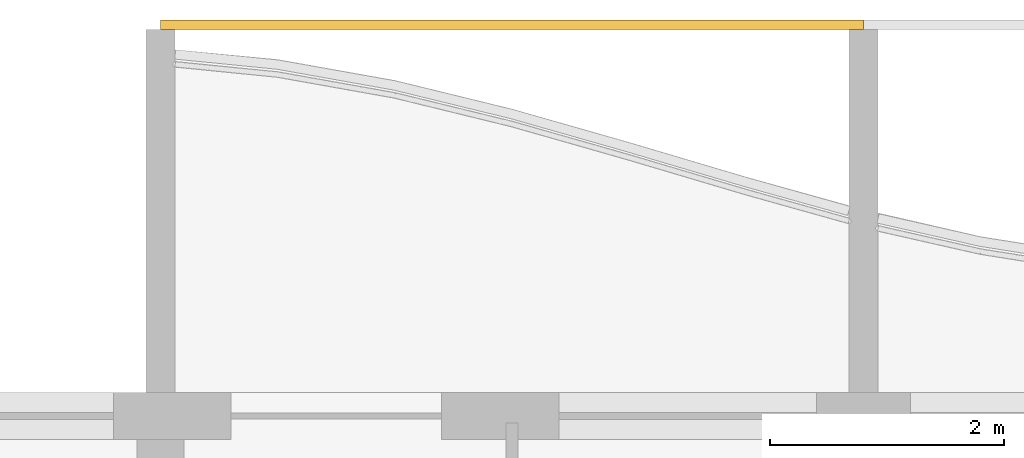
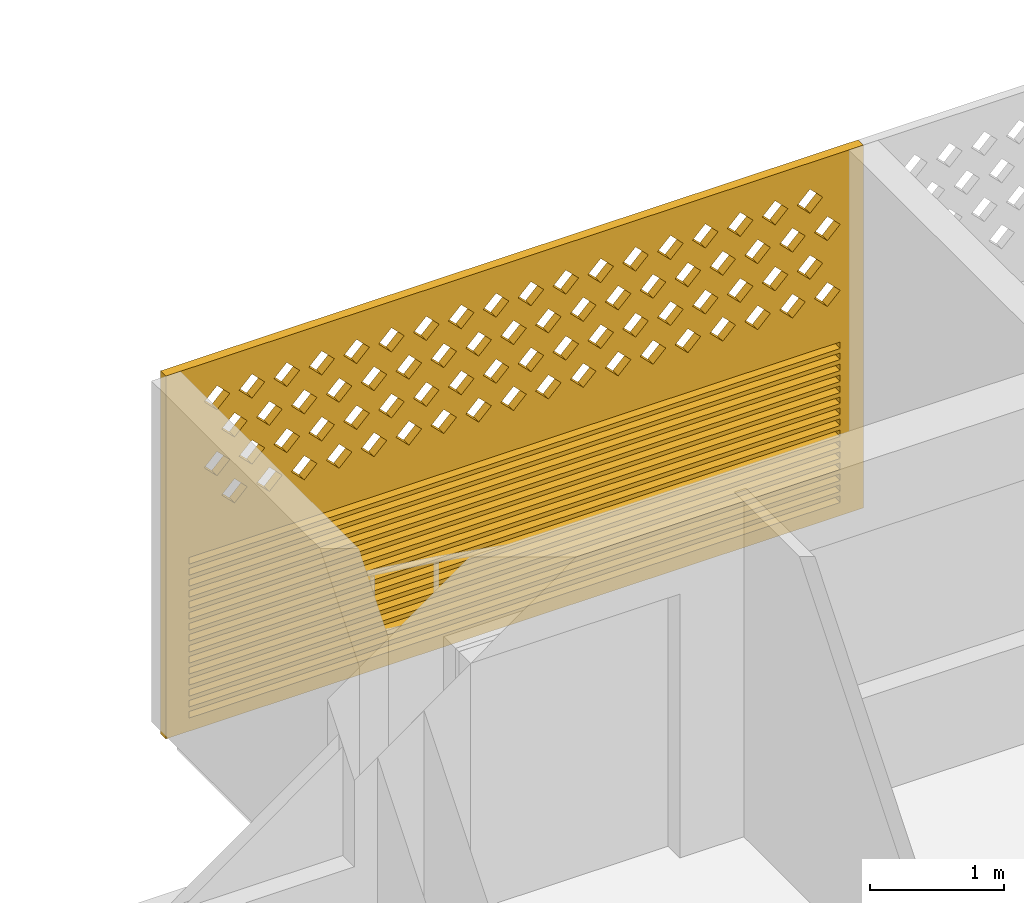
# One storey, part 34 of 40: 1 covering.
"""IFC4 building model written with IfcOpenShell, lengths in metres."""

from ifc_helpers import new_model, si_unit, direction, frame, origin, place, context, subcontext, project, spatial, polyline, outline, extrude, source, transform, mapped, material, material_profile, profile_set, type_object, element, save


model = new_model("IFC4")

# Units and contexts
model_context = context("Model", 3, precision=1e-05, world=origin(), true_north=direction((0.0, 1.0)))
body_context = subcontext(model_context, "Body", "Model", "MODEL_VIEW")
ifc_project = project(units=[si_unit("LENGTHUNIT", "METRE"), si_unit("AREAUNIT", "SQUARE_METRE"), si_unit("VOLUMEUNIT", "CUBIC_METRE"), si_unit("PLANEANGLEUNIT", "RADIAN"), si_unit("MASSUNIT", "GRAM", prefix="KILO")], contexts=[model_context])

# Site, building, storey
site_placement = place(None, origin())
site = spatial("IfcSite", under=ifc_project, at=site_placement, CompositionType="ELEMENT")
building_placement = place(site_placement, origin())
building = spatial("IfcBuilding", under=site, at=building_placement, Name="Poui Terraces", CompositionType="ELEMENT")
storey_placement = place(building_placement, frame((0.0, 0.0, 33.300048828125)))
storey = spatial("IfcBuildingStorey", under=building, at=storey_placement, Name="L08", CompositionType="ELEMENT", Elevation=33.300048828125)

# Covering
ifc_material = material(Name="Terracotta screen", Category="masonry")
ifc_material_profile = material_profile(ifc_material, outline(polyline([(-3.0, -1.64990234375), (3.0, -1.64990234375), (3.0, 1.64990234375), (-3.0, 1.64990234375), (-3.0, -1.64990234375)]), holes=[polyline([(-2.800048828125, 0.39990234375), (-2.68994140625, 0.2900390625), (-2.580078125, 0.39990234375), (-2.68994140625, 0.510009765625), (-2.800048828125, 0.39990234375)]), polyline([(-2.5, 0.39990234375), (-2.389892578125, 0.2900390625), (-2.280029296875, 0.39990234375), (-2.389892578125, 0.510009765625), (-2.5, 0.39990234375)]), polyline([(-2.199951171875, 0.39990234375), (-2.090087890625, 0.2900390625), (-1.97998046875, 0.39990234375), (-2.090087890625, 0.510009765625), (-2.199951171875, 0.39990234375)]), polyline([(-1.89990234375, 0.39990234375), (-1.7900390625, 0.2900390625), (-1.679931640625, 0.39990234375), (-1.7900390625, 0.510009765625), (-1.89990234375, 0.39990234375)]), polyline([(-1.60009765625, 0.39990234375), (-1.489990234375, 0.2900390625), (-1.3798828125, 0.39990234375), (-1.489990234375, 0.510009765625), (-1.60009765625, 0.39990234375)]), polyline([(-1.300048828125, 0.39990234375), (-1.18994140625, 0.2900390625), (-1.080078125, 0.39990234375), (-1.18994140625, 0.510009765625), (-1.300048828125, 0.39990234375)]), polyline([(-1.0, 0.39990234375), (-0.889892578125, 0.2900390625), (-0.780029296875, 0.39990234375), (-0.889892578125, 0.510009765625), (-1.0, 0.39990234375)]), polyline([(-0.699951171875, 0.39990234375), (-0.590087890625, 0.2900390625), (-0.47998046875, 0.39990234375), (-0.590087890625, 0.510009765625), (-0.699951171875, 0.39990234375)]), polyline([(-0.39990234375, 0.39990234375), (-0.2900390625, 0.2900390625), (-0.179931640625, 0.39990234375), (-0.2900390625, 0.510009765625), (-0.39990234375, 0.39990234375)]), polyline([(-0.10009765625, 0.39990234375), (0.010009765625, 0.2900390625), (0.1201171875, 0.39990234375), (0.010009765625, 0.510009765625), (-0.10009765625, 0.39990234375)]), polyline([(0.199951171875, 0.39990234375), (0.31005859375, 0.2900390625), (0.419921875, 0.39990234375), (0.31005859375, 0.510009765625), (0.199951171875, 0.39990234375)]), polyline([(0.5, 0.39990234375), (0.610107421875, 0.2900390625), (0.719970703125, 0.39990234375), (0.610107421875, 0.510009765625), (0.5, 0.39990234375)]), polyline([(0.800048828125, 0.39990234375), (0.909912109375, 0.2900390625), (1.02001953125, 0.39990234375), (0.909912109375, 0.510009765625), (0.800048828125, 0.39990234375)]), polyline([(1.10009765625, 0.39990234375), (1.2099609375, 0.2900390625), (1.320068359375, 0.39990234375), (1.2099609375, 0.510009765625), (1.10009765625, 0.39990234375)]), polyline([(1.39990234375, 0.39990234375), (1.510009765625, 0.2900390625), (1.6201171875, 0.39990234375), (1.510009765625, 0.510009765625), (1.39990234375, 0.39990234375)]), polyline([(1.699951171875, 0.39990234375), (1.81005859375, 0.2900390625), (1.919921875, 0.39990234375), (1.81005859375, 0.510009765625), (1.699951171875, 0.39990234375)]), polyline([(2.0, 0.39990234375), (2.110107421875, 0.2900390625), (2.219970703125, 0.39990234375), (2.110107421875, 0.510009765625), (2.0, 0.39990234375)]), polyline([(2.300048828125, 0.39990234375), (2.409912109375, 0.2900390625), (2.52001953125, 0.39990234375), (2.409912109375, 0.510009765625), (2.300048828125, 0.39990234375)]), polyline([(-2.64990234375, 0.699951171875), (-2.5400390625, 0.590087890625), (-2.429931640625, 0.699951171875), (-2.5400390625, 0.81005859375), (-2.64990234375, 0.699951171875)]), polyline([(-2.35009765625, 0.699951171875), (-2.239990234375, 0.590087890625), (-2.1298828125, 0.699951171875), (-2.239990234375, 0.81005859375), (-2.35009765625, 0.699951171875)]), polyline([(-2.050048828125, 0.699951171875), (-1.93994140625, 0.590087890625), (-1.830078125, 0.699951171875), (-1.93994140625, 0.81005859375), (-2.050048828125, 0.699951171875)]), polyline([(-1.75, 0.699951171875), (-1.639892578125, 0.590087890625), (-1.530029296875, 0.699951171875), (-1.639892578125, 0.81005859375), (-1.75, 0.699951171875)]), polyline([(-1.449951171875, 0.699951171875), (-1.340087890625, 0.590087890625), (-1.22998046875, 0.699951171875), (-1.340087890625, 0.81005859375), (-1.449951171875, 0.699951171875)]), polyline([(-1.14990234375, 0.699951171875), (-1.0400390625, 0.590087890625), (-0.929931640625, 0.699951171875), (-1.0400390625, 0.81005859375), (-1.14990234375, 0.699951171875)]), polyline([(-0.85009765625, 0.699951171875), (-0.739990234375, 0.590087890625), (-0.6298828125, 0.699951171875), (-0.739990234375, 0.81005859375), (-0.85009765625, 0.699951171875)]), polyline([(-0.550048828125, 0.699951171875), (-0.43994140625, 0.590087890625), (-0.330078125, 0.699951171875), (-0.43994140625, 0.81005859375), (-0.550048828125, 0.699951171875)]), polyline([(-0.25, 0.699951171875), (-0.139892578125, 0.590087890625), (-0.030029296875, 0.699951171875), (-0.139892578125, 0.81005859375), (-0.25, 0.699951171875)]), polyline([(0.050048828125, 0.699951171875), (0.159912109375, 0.590087890625), (0.27001953125, 0.699951171875), (0.159912109375, 0.81005859375), (0.050048828125, 0.699951171875)]), polyline([(0.35009765625, 0.699951171875), (0.4599609375, 0.590087890625), (0.570068359375, 0.699951171875), (0.4599609375, 0.81005859375), (0.35009765625, 0.699951171875)]), polyline([(0.64990234375, 0.699951171875), (0.760009765625, 0.590087890625), (0.8701171875, 0.699951171875), (0.760009765625, 0.81005859375), (0.64990234375, 0.699951171875)]), polyline([(0.949951171875, 0.699951171875), (1.06005859375, 0.590087890625), (1.169921875, 0.699951171875), (1.06005859375, 0.81005859375), (0.949951171875, 0.699951171875)]), polyline([(1.25, 0.699951171875), (1.360107421875, 0.590087890625), (1.469970703125, 0.699951171875), (1.360107421875, 0.81005859375), (1.25, 0.699951171875)]), polyline([(1.550048828125, 0.699951171875), (1.659912109375, 0.590087890625), (1.77001953125, 0.699951171875), (1.659912109375, 0.81005859375), (1.550048828125, 0.699951171875)]), polyline([(1.85009765625, 0.699951171875), (1.9599609375, 0.590087890625), (2.070068359375, 0.699951171875), (1.9599609375, 0.81005859375), (1.85009765625, 0.699951171875)]), polyline([(2.14990234375, 0.699951171875), (2.260009765625, 0.590087890625), (2.3701171875, 0.699951171875), (2.260009765625, 0.81005859375), (2.14990234375, 0.699951171875)]), polyline([(2.449951171875, 0.699951171875), (2.56005859375, 0.590087890625), (2.669921875, 0.699951171875), (2.56005859375, 0.81005859375), (2.449951171875, 0.699951171875)]), polyline([(-2.800048828125, 1.0), (-2.68994140625, 0.889892578125), (-2.580078125, 1.0), (-2.68994140625, 1.110107421875), (-2.800048828125, 1.0)]), polyline([(-2.5, 1.0), (-2.389892578125, 0.889892578125), (-2.280029296875, 1.0), (-2.389892578125, 1.110107421875), (-2.5, 1.0)]), polyline([(-2.199951171875, 1.0), (-2.090087890625, 0.889892578125), (-1.97998046875, 1.0), (-2.090087890625, 1.110107421875), (-2.199951171875, 1.0)]), polyline([(-1.89990234375, 1.0), (-1.7900390625, 0.889892578125), (-1.679931640625, 1.0), (-1.7900390625, 1.110107421875), (-1.89990234375, 1.0)]), polyline([(-1.60009765625, 1.0), (-1.489990234375, 0.889892578125), (-1.3798828125, 1.0), (-1.489990234375, 1.110107421875), (-1.60009765625, 1.0)]), polyline([(-1.300048828125, 1.0), (-1.18994140625, 0.889892578125), (-1.080078125, 1.0), (-1.18994140625, 1.110107421875), (-1.300048828125, 1.0)]), polyline([(-1.0, 1.0), (-0.889892578125, 0.889892578125), (-0.780029296875, 1.0), (-0.889892578125, 1.110107421875), (-1.0, 1.0)]), polyline([(-0.699951171875, 1.0), (-0.590087890625, 0.889892578125), (-0.47998046875, 1.0), (-0.590087890625, 1.110107421875), (-0.699951171875, 1.0)]), polyline([(-0.39990234375, 1.0), (-0.2900390625, 0.889892578125), (-0.179931640625, 1.0), (-0.2900390625, 1.110107421875), (-0.39990234375, 1.0)]), polyline([(-0.10009765625, 1.0), (0.010009765625, 0.889892578125), (0.1201171875, 1.0), (0.010009765625, 1.110107421875), (-0.10009765625, 1.0)]), polyline([(0.199951171875, 1.0), (0.31005859375, 0.889892578125), (0.419921875, 1.0), (0.31005859375, 1.110107421875), (0.199951171875, 1.0)]), polyline([(0.5, 1.0), (0.610107421875, 0.889892578125), (0.719970703125, 1.0), (0.610107421875, 1.110107421875), (0.5, 1.0)]), polyline([(0.800048828125, 1.0), (0.909912109375, 0.889892578125), (1.02001953125, 1.0), (0.909912109375, 1.110107421875), (0.800048828125, 1.0)]), polyline([(1.10009765625, 1.0), (1.2099609375, 0.889892578125), (1.320068359375, 1.0), (1.2099609375, 1.110107421875), (1.10009765625, 1.0)]), polyline([(1.39990234375, 1.0), (1.510009765625, 0.889892578125), (1.6201171875, 1.0), (1.510009765625, 1.110107421875), (1.39990234375, 1.0)]), polyline([(1.699951171875, 1.0), (1.81005859375, 0.889892578125), (1.919921875, 1.0), (1.81005859375, 1.110107421875), (1.699951171875, 1.0)]), polyline([(2.0, 1.0), (2.110107421875, 0.889892578125), (2.219970703125, 1.0), (2.110107421875, 1.110107421875), (2.0, 1.0)]), polyline([(2.300048828125, 1.0), (2.409912109375, 0.889892578125), (2.52001953125, 1.0), (2.409912109375, 1.110107421875), (2.300048828125, 1.0)]), polyline([(-2.64990234375, 1.300048828125), (-2.5400390625, 1.18994140625), (-2.429931640625, 1.300048828125), (-2.5400390625, 1.409912109375), (-2.64990234375, 1.300048828125)]), polyline([(-2.35009765625, 1.300048828125), (-2.239990234375, 1.18994140625), (-2.1298828125, 1.300048828125), (-2.239990234375, 1.409912109375), (-2.35009765625, 1.300048828125)]), polyline([(-2.050048828125, 1.300048828125), (-1.93994140625, 1.18994140625), (-1.830078125, 1.300048828125), (-1.93994140625, 1.409912109375), (-2.050048828125, 1.300048828125)]), polyline([(-1.75, 1.300048828125), (-1.639892578125, 1.18994140625), (-1.530029296875, 1.300048828125), (-1.639892578125, 1.409912109375), (-1.75, 1.300048828125)]), polyline([(-1.449951171875, 1.300048828125), (-1.340087890625, 1.18994140625), (-1.22998046875, 1.300048828125), (-1.340087890625, 1.409912109375), (-1.449951171875, 1.300048828125)]), polyline([(-1.14990234375, 1.300048828125), (-1.0400390625, 1.18994140625), (-0.929931640625, 1.300048828125), (-1.0400390625, 1.409912109375), (-1.14990234375, 1.300048828125)]), polyline([(-0.85009765625, 1.300048828125), (-0.739990234375, 1.18994140625), (-0.6298828125, 1.300048828125), (-0.739990234375, 1.409912109375), (-0.85009765625, 1.300048828125)]), polyline([(-0.550048828125, 1.300048828125), (-0.43994140625, 1.18994140625), (-0.330078125, 1.300048828125), (-0.43994140625, 1.409912109375), (-0.550048828125, 1.300048828125)]), polyline([(-0.25, 1.300048828125), (-0.139892578125, 1.18994140625), (-0.030029296875, 1.300048828125), (-0.139892578125, 1.409912109375), (-0.25, 1.300048828125)]), polyline([(0.050048828125, 1.300048828125), (0.159912109375, 1.18994140625), (0.27001953125, 1.300048828125), (0.159912109375, 1.409912109375), (0.050048828125, 1.300048828125)]), polyline([(0.35009765625, 1.300048828125), (0.4599609375, 1.18994140625), (0.570068359375, 1.300048828125), (0.4599609375, 1.409912109375), (0.35009765625, 1.300048828125)]), polyline([(0.64990234375, 1.300048828125), (0.760009765625, 1.18994140625), (0.8701171875, 1.300048828125), (0.760009765625, 1.409912109375), (0.64990234375, 1.300048828125)]), polyline([(0.949951171875, 1.300048828125), (1.06005859375, 1.18994140625), (1.169921875, 1.300048828125), (1.06005859375, 1.409912109375), (0.949951171875, 1.300048828125)]), polyline([(1.25, 1.300048828125), (1.360107421875, 1.18994140625), (1.469970703125, 1.300048828125), (1.360107421875, 1.409912109375), (1.25, 1.300048828125)]), polyline([(1.550048828125, 1.300048828125), (1.659912109375, 1.18994140625), (1.77001953125, 1.300048828125), (1.659912109375, 1.409912109375), (1.550048828125, 1.300048828125)]), polyline([(1.85009765625, 1.300048828125), (1.9599609375, 1.18994140625), (2.070068359375, 1.300048828125), (1.9599609375, 1.409912109375), (1.85009765625, 1.300048828125)]), polyline([(2.14990234375, 1.300048828125), (2.260009765625, 1.18994140625), (2.3701171875, 1.300048828125), (2.260009765625, 1.409912109375), (2.14990234375, 1.300048828125)]), polyline([(2.449951171875, 1.300048828125), (2.56005859375, 1.18994140625), (2.669921875, 1.300048828125), (2.56005859375, 1.409912109375), (2.449951171875, 1.300048828125)]), polyline([(-2.800048828125, -1.530029296875), (2.800048828125, -1.530029296875), (2.800048828125, -1.469970703125), (-2.800048828125, -1.469970703125), (-2.800048828125, -1.530029296875)]), polyline([(-2.800048828125, -1.429931640625), (2.800048828125, -1.429931640625), (2.800048828125, -1.3701171875), (-2.800048828125, -1.3701171875), (-2.800048828125, -1.429931640625)]), polyline([(-2.800048828125, -1.330078125), (2.800048828125, -1.330078125), (2.800048828125, -1.27001953125), (-2.800048828125, -1.27001953125), (-2.800048828125, -1.330078125)]), polyline([(-2.800048828125, -1.22998046875), (2.800048828125, -1.22998046875), (2.800048828125, -1.169921875), (-2.800048828125, -1.169921875), (-2.800048828125, -1.22998046875)]), polyline([(-2.800048828125, -1.1298828125), (2.800048828125, -1.1298828125), (2.800048828125, -1.070068359375), (-2.800048828125, -1.070068359375), (-2.800048828125, -1.1298828125)]), polyline([(-2.800048828125, -1.030029296875), (2.800048828125, -1.030029296875), (2.800048828125, -0.969970703125), (-2.800048828125, -0.969970703125), (-2.800048828125, -1.030029296875)]), polyline([(-2.800048828125, -0.929931640625), (2.800048828125, -0.929931640625), (2.800048828125, -0.8701171875), (-2.800048828125, -0.8701171875), (-2.800048828125, -0.929931640625)]), polyline([(-2.800048828125, -0.830078125), (2.800048828125, -0.830078125), (2.800048828125, -0.77001953125), (-2.800048828125, -0.77001953125), (-2.800048828125, -0.830078125)]), polyline([(-2.800048828125, -0.72998046875), (2.800048828125, -0.72998046875), (2.800048828125, -0.669921875), (-2.800048828125, -0.669921875), (-2.800048828125, -0.72998046875)]), polyline([(-2.800048828125, -0.6298828125), (2.800048828125, -0.6298828125), (2.800048828125, -0.570068359375), (-2.800048828125, -0.570068359375), (-2.800048828125, -0.6298828125)]), polyline([(-2.800048828125, -0.530029296875), (2.800048828125, -0.530029296875), (2.800048828125, -0.469970703125), (-2.800048828125, -0.469970703125), (-2.800048828125, -0.530029296875)]), polyline([(-2.800048828125, -0.429931640625), (2.800048828125, -0.429931640625), (2.800048828125, -0.3701171875), (-2.800048828125, -0.3701171875), (-2.800048828125, -0.429931640625)]), polyline([(-2.800048828125, -0.330078125), (2.800048828125, -0.330078125), (2.800048828125, -0.27001953125), (-2.800048828125, -0.27001953125), (-2.800048828125, -0.330078125)]), polyline([(-2.800048828125, -0.22998046875), (2.800048828125, -0.22998046875), (2.800048828125, -0.169921875), (-2.800048828125, -0.169921875), (-2.800048828125, -0.22998046875)]), polyline([(-2.800048828125, -0.1298828125), (2.800048828125, -0.1298828125), (2.800048828125, -0.070068359375), (-2.800048828125, -0.070068359375), (-2.800048828125, -0.1298828125)])]), Name="TERRACOTTA SCREEN AND JALOUSIE LOUVRE 6000X3300")
ifc_profile_set = profile_set([ifc_material_profile], Name="Terracotta screen")
covering_type = type_object("IfcCoveringType", Name="TERRACOTTA SCREEN AND JALOUSIE LOUVRE 6000X3300", PredefinedType="CLADDING", material=ifc_profile_set)
shared_shape = source(origin(), body_context, "Body", "SweptSolid", [
    extrude(outline(polyline([(-3.0, -1.64990234375), (3.0, -1.64990234375), (3.0, 1.64990234375), (-3.0, 1.64990234375), (-3.0, -1.64990234375)]), holes=[polyline([(-2.800048828125, 0.39990234375), (-2.68994140625, 0.2900390625), (-2.580078125, 0.39990234375), (-2.68994140625, 0.510009765625), (-2.800048828125, 0.39990234375)]), polyline([(-2.5, 0.39990234375), (-2.389892578125, 0.2900390625), (-2.280029296875, 0.39990234375), (-2.389892578125, 0.510009765625), (-2.5, 0.39990234375)]), polyline([(-2.199951171875, 0.39990234375), (-2.090087890625, 0.2900390625), (-1.97998046875, 0.39990234375), (-2.090087890625, 0.510009765625), (-2.199951171875, 0.39990234375)]), polyline([(-1.89990234375, 0.39990234375), (-1.7900390625, 0.2900390625), (-1.679931640625, 0.39990234375), (-1.7900390625, 0.510009765625), (-1.89990234375, 0.39990234375)]), polyline([(-1.60009765625, 0.39990234375), (-1.489990234375, 0.2900390625), (-1.3798828125, 0.39990234375), (-1.489990234375, 0.510009765625), (-1.60009765625, 0.39990234375)]), polyline([(-1.300048828125, 0.39990234375), (-1.18994140625, 0.2900390625), (-1.080078125, 0.39990234375), (-1.18994140625, 0.510009765625), (-1.300048828125, 0.39990234375)]), polyline([(-1.0, 0.39990234375), (-0.889892578125, 0.2900390625), (-0.780029296875, 0.39990234375), (-0.889892578125, 0.510009765625), (-1.0, 0.39990234375)]), polyline([(-0.699951171875, 0.39990234375), (-0.590087890625, 0.2900390625), (-0.47998046875, 0.39990234375), (-0.590087890625, 0.510009765625), (-0.699951171875, 0.39990234375)]), polyline([(-0.39990234375, 0.39990234375), (-0.2900390625, 0.2900390625), (-0.179931640625, 0.39990234375), (-0.2900390625, 0.510009765625), (-0.39990234375, 0.39990234375)]), polyline([(-0.10009765625, 0.39990234375), (0.010009765625, 0.2900390625), (0.1201171875, 0.39990234375), (0.010009765625, 0.510009765625), (-0.10009765625, 0.39990234375)]), polyline([(0.199951171875, 0.39990234375), (0.31005859375, 0.2900390625), (0.419921875, 0.39990234375), (0.31005859375, 0.510009765625), (0.199951171875, 0.39990234375)]), polyline([(0.5, 0.39990234375), (0.610107421875, 0.2900390625), (0.719970703125, 0.39990234375), (0.610107421875, 0.510009765625), (0.5, 0.39990234375)]), polyline([(0.800048828125, 0.39990234375), (0.909912109375, 0.2900390625), (1.02001953125, 0.39990234375), (0.909912109375, 0.510009765625), (0.800048828125, 0.39990234375)]), polyline([(1.10009765625, 0.39990234375), (1.2099609375, 0.2900390625), (1.320068359375, 0.39990234375), (1.2099609375, 0.510009765625), (1.10009765625, 0.39990234375)]), polyline([(1.39990234375, 0.39990234375), (1.510009765625, 0.2900390625), (1.6201171875, 0.39990234375), (1.510009765625, 0.510009765625), (1.39990234375, 0.39990234375)]), polyline([(1.699951171875, 0.39990234375), (1.81005859375, 0.2900390625), (1.919921875, 0.39990234375), (1.81005859375, 0.510009765625), (1.699951171875, 0.39990234375)]), polyline([(2.0, 0.39990234375), (2.110107421875, 0.2900390625), (2.219970703125, 0.39990234375), (2.110107421875, 0.510009765625), (2.0, 0.39990234375)]), polyline([(2.300048828125, 0.39990234375), (2.409912109375, 0.2900390625), (2.52001953125, 0.39990234375), (2.409912109375, 0.510009765625), (2.300048828125, 0.39990234375)]), polyline([(-2.64990234375, 0.699951171875), (-2.5400390625, 0.590087890625), (-2.429931640625, 0.699951171875), (-2.5400390625, 0.81005859375), (-2.64990234375, 0.699951171875)]), polyline([(-2.35009765625, 0.699951171875), (-2.239990234375, 0.590087890625), (-2.1298828125, 0.699951171875), (-2.239990234375, 0.81005859375), (-2.35009765625, 0.699951171875)]), polyline([(-2.050048828125, 0.699951171875), (-1.93994140625, 0.590087890625), (-1.830078125, 0.699951171875), (-1.93994140625, 0.81005859375), (-2.050048828125, 0.699951171875)]), polyline([(-1.75, 0.699951171875), (-1.639892578125, 0.590087890625), (-1.530029296875, 0.699951171875), (-1.639892578125, 0.81005859375), (-1.75, 0.699951171875)]), polyline([(-1.449951171875, 0.699951171875), (-1.340087890625, 0.590087890625), (-1.22998046875, 0.699951171875), (-1.340087890625, 0.81005859375), (-1.449951171875, 0.699951171875)]), polyline([(-1.14990234375, 0.699951171875), (-1.0400390625, 0.590087890625), (-0.929931640625, 0.699951171875), (-1.0400390625, 0.81005859375), (-1.14990234375, 0.699951171875)]), polyline([(-0.85009765625, 0.699951171875), (-0.739990234375, 0.590087890625), (-0.6298828125, 0.699951171875), (-0.739990234375, 0.81005859375), (-0.85009765625, 0.699951171875)]), polyline([(-0.550048828125, 0.699951171875), (-0.43994140625, 0.590087890625), (-0.330078125, 0.699951171875), (-0.43994140625, 0.81005859375), (-0.550048828125, 0.699951171875)]), polyline([(-0.25, 0.699951171875), (-0.139892578125, 0.590087890625), (-0.030029296875, 0.699951171875), (-0.139892578125, 0.81005859375), (-0.25, 0.699951171875)]), polyline([(0.050048828125, 0.699951171875), (0.159912109375, 0.590087890625), (0.27001953125, 0.699951171875), (0.159912109375, 0.81005859375), (0.050048828125, 0.699951171875)]), polyline([(0.35009765625, 0.699951171875), (0.4599609375, 0.590087890625), (0.570068359375, 0.699951171875), (0.4599609375, 0.81005859375), (0.35009765625, 0.699951171875)]), polyline([(0.64990234375, 0.699951171875), (0.760009765625, 0.590087890625), (0.8701171875, 0.699951171875), (0.760009765625, 0.81005859375), (0.64990234375, 0.699951171875)]), polyline([(0.949951171875, 0.699951171875), (1.06005859375, 0.590087890625), (1.169921875, 0.699951171875), (1.06005859375, 0.81005859375), (0.949951171875, 0.699951171875)]), polyline([(1.25, 0.699951171875), (1.360107421875, 0.590087890625), (1.469970703125, 0.699951171875), (1.360107421875, 0.81005859375), (1.25, 0.699951171875)]), polyline([(1.550048828125, 0.699951171875), (1.659912109375, 0.590087890625), (1.77001953125, 0.699951171875), (1.659912109375, 0.81005859375), (1.550048828125, 0.699951171875)]), polyline([(1.85009765625, 0.699951171875), (1.9599609375, 0.590087890625), (2.070068359375, 0.699951171875), (1.9599609375, 0.81005859375), (1.85009765625, 0.699951171875)]), polyline([(2.14990234375, 0.699951171875), (2.260009765625, 0.590087890625), (2.3701171875, 0.699951171875), (2.260009765625, 0.81005859375), (2.14990234375, 0.699951171875)]), polyline([(2.449951171875, 0.699951171875), (2.56005859375, 0.590087890625), (2.669921875, 0.699951171875), (2.56005859375, 0.81005859375), (2.449951171875, 0.699951171875)]), polyline([(-2.800048828125, 1.0), (-2.68994140625, 0.889892578125), (-2.580078125, 1.0), (-2.68994140625, 1.110107421875), (-2.800048828125, 1.0)]), polyline([(-2.5, 1.0), (-2.389892578125, 0.889892578125), (-2.280029296875, 1.0), (-2.389892578125, 1.110107421875), (-2.5, 1.0)]), polyline([(-2.199951171875, 1.0), (-2.090087890625, 0.889892578125), (-1.97998046875, 1.0), (-2.090087890625, 1.110107421875), (-2.199951171875, 1.0)]), polyline([(-1.89990234375, 1.0), (-1.7900390625, 0.889892578125), (-1.679931640625, 1.0), (-1.7900390625, 1.110107421875), (-1.89990234375, 1.0)]), polyline([(-1.60009765625, 1.0), (-1.489990234375, 0.889892578125), (-1.3798828125, 1.0), (-1.489990234375, 1.110107421875), (-1.60009765625, 1.0)]), polyline([(-1.300048828125, 1.0), (-1.18994140625, 0.889892578125), (-1.080078125, 1.0), (-1.18994140625, 1.110107421875), (-1.300048828125, 1.0)]), polyline([(-1.0, 1.0), (-0.889892578125, 0.889892578125), (-0.780029296875, 1.0), (-0.889892578125, 1.110107421875), (-1.0, 1.0)]), polyline([(-0.699951171875, 1.0), (-0.590087890625, 0.889892578125), (-0.47998046875, 1.0), (-0.590087890625, 1.110107421875), (-0.699951171875, 1.0)]), polyline([(-0.39990234375, 1.0), (-0.2900390625, 0.889892578125), (-0.179931640625, 1.0), (-0.2900390625, 1.110107421875), (-0.39990234375, 1.0)]), polyline([(-0.10009765625, 1.0), (0.010009765625, 0.889892578125), (0.1201171875, 1.0), (0.010009765625, 1.110107421875), (-0.10009765625, 1.0)]), polyline([(0.199951171875, 1.0), (0.31005859375, 0.889892578125), (0.419921875, 1.0), (0.31005859375, 1.110107421875), (0.199951171875, 1.0)]), polyline([(0.5, 1.0), (0.610107421875, 0.889892578125), (0.719970703125, 1.0), (0.610107421875, 1.110107421875), (0.5, 1.0)]), polyline([(0.800048828125, 1.0), (0.909912109375, 0.889892578125), (1.02001953125, 1.0), (0.909912109375, 1.110107421875), (0.800048828125, 1.0)]), polyline([(1.10009765625, 1.0), (1.2099609375, 0.889892578125), (1.320068359375, 1.0), (1.2099609375, 1.110107421875), (1.10009765625, 1.0)]), polyline([(1.39990234375, 1.0), (1.510009765625, 0.889892578125), (1.6201171875, 1.0), (1.510009765625, 1.110107421875), (1.39990234375, 1.0)]), polyline([(1.699951171875, 1.0), (1.81005859375, 0.889892578125), (1.919921875, 1.0), (1.81005859375, 1.110107421875), (1.699951171875, 1.0)]), polyline([(2.0, 1.0), (2.110107421875, 0.889892578125), (2.219970703125, 1.0), (2.110107421875, 1.110107421875), (2.0, 1.0)]), polyline([(2.300048828125, 1.0), (2.409912109375, 0.889892578125), (2.52001953125, 1.0), (2.409912109375, 1.110107421875), (2.300048828125, 1.0)]), polyline([(-2.64990234375, 1.300048828125), (-2.5400390625, 1.18994140625), (-2.429931640625, 1.300048828125), (-2.5400390625, 1.409912109375), (-2.64990234375, 1.300048828125)]), polyline([(-2.35009765625, 1.300048828125), (-2.239990234375, 1.18994140625), (-2.1298828125, 1.300048828125), (-2.239990234375, 1.409912109375), (-2.35009765625, 1.300048828125)]), polyline([(-2.050048828125, 1.300048828125), (-1.93994140625, 1.18994140625), (-1.830078125, 1.300048828125), (-1.93994140625, 1.409912109375), (-2.050048828125, 1.300048828125)]), polyline([(-1.75, 1.300048828125), (-1.639892578125, 1.18994140625), (-1.530029296875, 1.300048828125), (-1.639892578125, 1.409912109375), (-1.75, 1.300048828125)]), polyline([(-1.449951171875, 1.300048828125), (-1.340087890625, 1.18994140625), (-1.22998046875, 1.300048828125), (-1.340087890625, 1.409912109375), (-1.449951171875, 1.300048828125)]), polyline([(-1.14990234375, 1.300048828125), (-1.0400390625, 1.18994140625), (-0.929931640625, 1.300048828125), (-1.0400390625, 1.409912109375), (-1.14990234375, 1.300048828125)]), polyline([(-0.85009765625, 1.300048828125), (-0.739990234375, 1.18994140625), (-0.6298828125, 1.300048828125), (-0.739990234375, 1.409912109375), (-0.85009765625, 1.300048828125)]), polyline([(-0.550048828125, 1.300048828125), (-0.43994140625, 1.18994140625), (-0.330078125, 1.300048828125), (-0.43994140625, 1.409912109375), (-0.550048828125, 1.300048828125)]), polyline([(-0.25, 1.300048828125), (-0.139892578125, 1.18994140625), (-0.030029296875, 1.300048828125), (-0.139892578125, 1.409912109375), (-0.25, 1.300048828125)]), polyline([(0.050048828125, 1.300048828125), (0.159912109375, 1.18994140625), (0.27001953125, 1.300048828125), (0.159912109375, 1.409912109375), (0.050048828125, 1.300048828125)]), polyline([(0.35009765625, 1.300048828125), (0.4599609375, 1.18994140625), (0.570068359375, 1.300048828125), (0.4599609375, 1.409912109375), (0.35009765625, 1.300048828125)]), polyline([(0.64990234375, 1.300048828125), (0.760009765625, 1.18994140625), (0.8701171875, 1.300048828125), (0.760009765625, 1.409912109375), (0.64990234375, 1.300048828125)]), polyline([(0.949951171875, 1.300048828125), (1.06005859375, 1.18994140625), (1.169921875, 1.300048828125), (1.06005859375, 1.409912109375), (0.949951171875, 1.300048828125)]), polyline([(1.25, 1.300048828125), (1.360107421875, 1.18994140625), (1.469970703125, 1.300048828125), (1.360107421875, 1.409912109375), (1.25, 1.300048828125)]), polyline([(1.550048828125, 1.300048828125), (1.659912109375, 1.18994140625), (1.77001953125, 1.300048828125), (1.659912109375, 1.409912109375), (1.550048828125, 1.300048828125)]), polyline([(1.85009765625, 1.300048828125), (1.9599609375, 1.18994140625), (2.070068359375, 1.300048828125), (1.9599609375, 1.409912109375), (1.85009765625, 1.300048828125)]), polyline([(2.14990234375, 1.300048828125), (2.260009765625, 1.18994140625), (2.3701171875, 1.300048828125), (2.260009765625, 1.409912109375), (2.14990234375, 1.300048828125)]), polyline([(2.449951171875, 1.300048828125), (2.56005859375, 1.18994140625), (2.669921875, 1.300048828125), (2.56005859375, 1.409912109375), (2.449951171875, 1.300048828125)]), polyline([(-2.800048828125, -1.530029296875), (2.800048828125, -1.530029296875), (2.800048828125, -1.469970703125), (-2.800048828125, -1.469970703125), (-2.800048828125, -1.530029296875)]), polyline([(-2.800048828125, -1.429931640625), (2.800048828125, -1.429931640625), (2.800048828125, -1.3701171875), (-2.800048828125, -1.3701171875), (-2.800048828125, -1.429931640625)]), polyline([(-2.800048828125, -1.330078125), (2.800048828125, -1.330078125), (2.800048828125, -1.27001953125), (-2.800048828125, -1.27001953125), (-2.800048828125, -1.330078125)]), polyline([(-2.800048828125, -1.22998046875), (2.800048828125, -1.22998046875), (2.800048828125, -1.169921875), (-2.800048828125, -1.169921875), (-2.800048828125, -1.22998046875)]), polyline([(-2.800048828125, -1.1298828125), (2.800048828125, -1.1298828125), (2.800048828125, -1.070068359375), (-2.800048828125, -1.070068359375), (-2.800048828125, -1.1298828125)]), polyline([(-2.800048828125, -1.030029296875), (2.800048828125, -1.030029296875), (2.800048828125, -0.969970703125), (-2.800048828125, -0.969970703125), (-2.800048828125, -1.030029296875)]), polyline([(-2.800048828125, -0.929931640625), (2.800048828125, -0.929931640625), (2.800048828125, -0.8701171875), (-2.800048828125, -0.8701171875), (-2.800048828125, -0.929931640625)]), polyline([(-2.800048828125, -0.830078125), (2.800048828125, -0.830078125), (2.800048828125, -0.77001953125), (-2.800048828125, -0.77001953125), (-2.800048828125, -0.830078125)]), polyline([(-2.800048828125, -0.72998046875), (2.800048828125, -0.72998046875), (2.800048828125, -0.669921875), (-2.800048828125, -0.669921875), (-2.800048828125, -0.72998046875)]), polyline([(-2.800048828125, -0.6298828125), (2.800048828125, -0.6298828125), (2.800048828125, -0.570068359375), (-2.800048828125, -0.570068359375), (-2.800048828125, -0.6298828125)]), polyline([(-2.800048828125, -0.530029296875), (2.800048828125, -0.530029296875), (2.800048828125, -0.469970703125), (-2.800048828125, -0.469970703125), (-2.800048828125, -0.530029296875)]), polyline([(-2.800048828125, -0.429931640625), (2.800048828125, -0.429931640625), (2.800048828125, -0.3701171875), (-2.800048828125, -0.3701171875), (-2.800048828125, -0.429931640625)]), polyline([(-2.800048828125, -0.330078125), (2.800048828125, -0.330078125), (2.800048828125, -0.27001953125), (-2.800048828125, -0.27001953125), (-2.800048828125, -0.330078125)]), polyline([(-2.800048828125, -0.22998046875), (2.800048828125, -0.22998046875), (2.800048828125, -0.169921875), (-2.800048828125, -0.169921875), (-2.800048828125, -0.22998046875)]), polyline([(-2.800048828125, -0.1298828125), (2.800048828125, -0.1298828125), (2.800048828125, -0.070068359375), (-2.800048828125, -0.070068359375), (-2.800048828125, -0.1298828125)])]), origin(), (0.0, 0.0, 1.0), 0.079833984375),
])
covering_placement = place(storey_placement, frame((75.0, 48.10009765625, 1.449951171875), z_axis=(0.0, 1.0, 0.0), x_axis=(-1.0, 0.0, 0.0)))
element("IfcCovering", 1, at=covering_placement, inside=storey, type_object=covering_type, Name="SOLAR SCREEN AND JALOUSIE LOUVRE", PredefinedType="CLADDING", context=body_context, shape_type="MappedRepresentation", body=[
    mapped(shared_shape, transform((0.0, 0.0, 0.0))),
])

save(model, "model.ifc")
